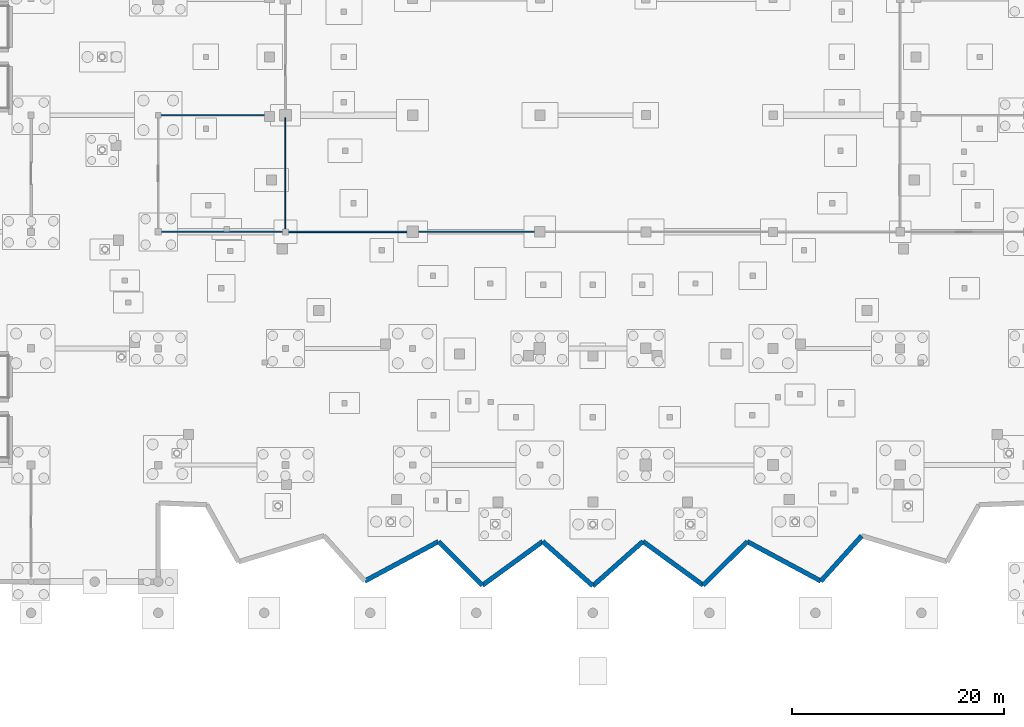
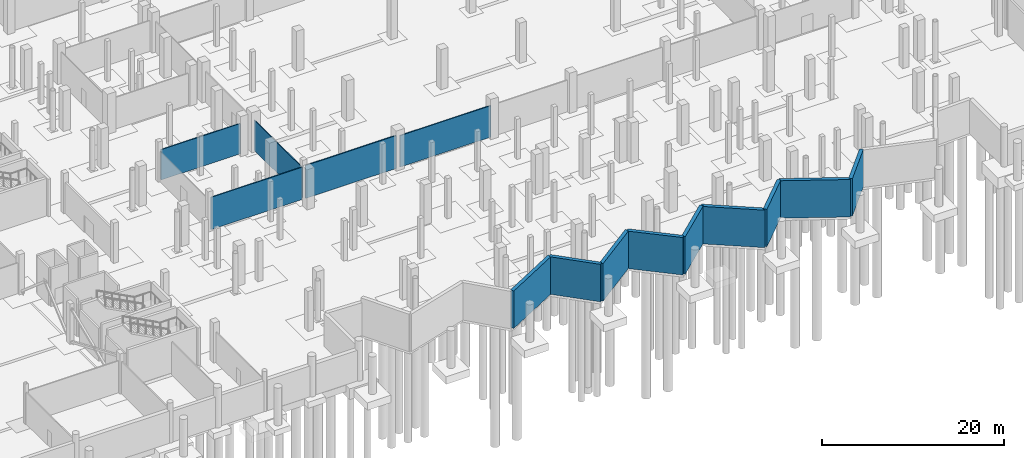
# One storey, part 31 of 60: 14 walls.
"""IFC4 building model written with IfcOpenShell, lengths in metres."""

import ifcopenshell
import ifcopenshell.guid

model = None  # the IFC model being written
_history = None  # IfcOwnerHistory: only IFC2X3 demands one
_inside = {}  # id of a spatial element -> (the spatial element, [elements in it])
_under = {}  # id of a project, library or spatial element -> (it, [spatial elements below it])
_declared = {}  # id of a project -> (the project, [libraries it declares])
_typed = {}  # id of a type object -> (the type object, [elements of that type])
_made_of = {}  # id of a material, layer set ... -> (it, [elements and type objects made of it])


def new_model(schema):
    """Start an empty IFC model of exactly this schema.

    Asked for "IFC4X3", IfcOpenShell would pick the latest addendum, in which some entities
    have other attributes; the version numbers below select the first issue.
    IFC2X3 requires an IfcOwnerHistory on every rooted entity: one is made here for all.
    """
    global model, _history
    if schema == "IFC4X3":
        model = ifcopenshell.file(schema_version=(4, 3, 0, 0))
    else:
        model = ifcopenshell.file(schema=schema)
    _inside.clear()
    _under.clear()
    _declared.clear()
    _typed.clear()
    _made_of.clear()
    _history = None
    if model.schema == "IFC2X3":
        org = make("IfcOrganization", Name="unknown")
        user = make(
            "IfcPersonAndOrganization",
            ThePerson=make("IfcPerson", FamilyName="unknown"),
            TheOrganization=org,
        )
        app = make(
            "IfcApplication",
            ApplicationDeveloper=org,
            Version="unknown",
            ApplicationFullName="unknown",
            ApplicationIdentifier="unknown",
        )
        _history = make(
            "IfcOwnerHistory",
            OwningUser=user,
            OwningApplication=app,
            ChangeAction="ADDED",
            CreationDate=0,
        )
    return model


def make(cls, **values):
    """One entity of the class cls with the attributes given. An attribute that is None is left unset."""
    return model.create_entity(
        cls, **{name: value for name, value in values.items() if value is not None}
    )


def rooted(cls, **values):
    """An entity with a GlobalId (a new one), such as an element, a storey or a relation."""
    return make(cls, GlobalId=ifcopenshell.guid.new(), OwnerHistory=_history, **values)


def si_unit(unit_type, name, prefix=None):
    """IfcSIUnit, for example si_unit("LENGTHUNIT", "METRE", prefix="MILLI")."""
    return make("IfcSIUnit", UnitType=unit_type, Prefix=prefix, Name=name)


def assignment(units):
    """IfcUnitAssignment: the units of a project."""
    return None if units is None else make("IfcUnitAssignment", Units=units)


def point(xyz):
    """IfcCartesianPoint."""
    return None if xyz is None else make("IfcCartesianPoint", Coordinates=xyz)


def direction(xyz):
    """IfcDirection."""
    return None if xyz is None else make("IfcDirection", DirectionRatios=xyz)


def frame(location, z_axis=None, x_axis=None):
    """IfcAxis2Placement3D, a coordinate frame: its origin and axes. An axis left out is left unset."""
    return make(
        "IfcAxis2Placement3D",
        Location=point(location),
        Axis=direction(z_axis),
        RefDirection=direction(x_axis),
    )


def frame_2d(location, x_axis=None):
    """IfcAxis2Placement2D, a coordinate frame in the plane: its origin and x axis."""
    return make(
        "IfcAxis2Placement2D", Location=point(location), RefDirection=direction(x_axis)
    )


def origin():
    """The frame at (0, 0, 0) with its axes left unset."""
    return frame((0.0, 0.0, 0.0))


def place(relative_to, where):
    """IfcLocalPlacement: puts the frame where relative to a parent placement (None: the world)."""
    return make(
        "IfcLocalPlacement", PlacementRelTo=relative_to, RelativePlacement=where
    )


def context(
    kind, dimensions, precision=None, world=None, true_north=None, identifier=None
):
    """IfcGeometricRepresentationContext, for example the 3D "Model" context."""
    return make(
        "IfcGeometricRepresentationContext",
        ContextIdentifier=identifier,
        ContextType=kind,
        CoordinateSpaceDimension=dimensions,
        Precision=precision,
        WorldCoordinateSystem=world,
        TrueNorth=true_north,
    )


def subcontext(parent, identifier, kind, view, scale=None):
    """IfcGeometricRepresentationSubContext, for example "Body" below "Model"."""
    return make(
        "IfcGeometricRepresentationSubContext",
        ContextIdentifier=identifier,
        ContextType=kind,
        ParentContext=parent,
        TargetScale=scale,
        TargetView=view,
    )


def project(units=None, contexts=None):
    """IfcProject with its units and contexts."""
    return rooted(
        "IfcProject",
        Name="project",
        RepresentationContexts=contexts,
        UnitsInContext=assignment(units),
    )


def spatial(cls, under=None, at=None, **own):
    """A site, building, storey or space (cls), placed at a placement, below another one or the project."""
    s = rooted(cls, ObjectPlacement=at, **own)
    if under is not None:
        _under.setdefault(under.id(), (under, []))[1].append(s)
    return s


def profile(cls, at=None, kind="AREA", **sizes):
    """A parametric profile (cls). Its sizes go by their IFC names, for example OverallWidth=200.0."""
    return make(cls, ProfileType=kind, Position=at, **sizes)


def rectangle(**sizes):
    """IfcRectangleProfileDef."""
    return profile("IfcRectangleProfileDef", **sizes)


def extrude(swept, where, along, depth):
    """IfcExtrudedAreaSolid: the profile swept, set in the frame where, extruded along a direction by depth."""
    return make(
        "IfcExtrudedAreaSolid",
        SweptArea=swept,
        Position=where,
        ExtrudedDirection=direction(along),
        Depth=depth,
    )


def shape(context_of_items, identifier, shape_type, items):
    """IfcShapeRepresentation: the items that make up one representation, for example the "Body"."""
    return make(
        "IfcShapeRepresentation",
        ContextOfItems=context_of_items,
        RepresentationIdentifier=identifier,
        RepresentationType=shape_type,
        Items=items,
    )


def material(Name=None, Category=None):
    """IfcMaterial."""
    return make("IfcMaterial", Name=Name, Category=Category)


def layer(
    of_material, thickness, ventilated=None, Name=None, Category=None, Priority=None
):
    """IfcMaterialLayer: one layer of a wall or slab, of a material (None: an air gap)."""
    return make(
        "IfcMaterialLayer",
        Material=of_material,
        LayerThickness=thickness,
        IsVentilated=ventilated,
        Name=Name,
        Category=Category,
        Priority=Priority,
    )


def layer_set(layers, Name=None):
    """IfcMaterialLayerSet."""
    return make("IfcMaterialLayerSet", MaterialLayers=layers, LayerSetName=Name)


def made_of(thing, what):
    """Note that an element or type object is made of a material, layer set ...; save() writes the relation."""
    if what is not None:
        _made_of.setdefault(what.id(), (what, []))[1].append(thing)
    return thing


def type_object(cls, material=None, **own):
    """A type object (cls), such as IfcWallType, which elements share."""
    return made_of(rooted(cls, **own), material)


def element(
    cls,
    number,
    at=None,
    inside=None,
    cuts=None,
    type_object=None,
    material=None,
    context=None,
    identifier="Body",
    shape_type=None,
    held_by="IfcProductDefinitionShape",
    body=None,
    shapes=None,
    **own,
):
    """One element of the class cls, such as IfcWall. Its Tag is "e" and its number.

    at: its placement. inside: the storey or other place that contains it. cuts: it is an
    opening in that element (IfcRelVoidsElement). A single representation is given by context,
    identifier, shape_type and body (its items); several are given by shapes. held_by: the class
    of the entity that holds the representations. save() writes the other relations.
    """
    e = rooted(cls, Tag="e%d" % number, ObjectPlacement=at, **own)
    if body is not None:
        shapes = [shape(context, identifier, shape_type, body)]
    if shapes is not None:
        e.Representation = make(held_by, Representations=shapes)
    if inside is not None:
        _inside.setdefault(inside.id(), (inside, []))[1].append(e)
    if cuts is not None:
        rooted(
            "IfcRelVoidsElement", RelatingBuildingElement=cuts, RelatedOpeningElement=e
        )
    if type_object is not None:
        _typed.setdefault(type_object.id(), (type_object, []))[1].append(e)
    return made_of(e, material)


def aggregate(whole, parts):
    """IfcRelAggregates: a whole, such as a stair, and the parts it consists of."""
    return rooted("IfcRelAggregates", RelatingObject=whole, RelatedObjects=parts)


def save(model, path):
    """Write the relations noted so far, then the file.

    IfcRelAggregates (storeys below a building ...), IfcRelContainedInSpatialStructure (elements
    in a storey), IfcRelDefinesByType, IfcRelAssociatesMaterial and IfcRelDeclares: one each for
    every whole, place, type object, material and project.
    """
    for whole, parts in _under.values():
        aggregate(whole, parts)
    for where, things in _inside.values():
        rooted(
            "IfcRelContainedInSpatialStructure",
            RelatedElements=things,
            RelatingStructure=where,
        )
    for kind, things in _typed.values():
        rooted("IfcRelDefinesByType", RelatedObjects=things, RelatingType=kind)
    for what, things in _made_of.values():
        rooted("IfcRelAssociatesMaterial", RelatedObjects=things, RelatingMaterial=what)
    for by, libraries in _declared.values():
        rooted("IfcRelDeclares", RelatingContext=by, RelatedDefinitions=libraries)
    model.write(path)


model = new_model("IFC4")

# Units and contexts
model_context = context("Model", 3, precision=1e-05, world=origin(), true_north=direction((0.0, 1.0)))
body_context = subcontext(model_context, "Body", "Model", "MODEL_VIEW")
ifc_project = project(units=[si_unit("LENGTHUNIT", "METRE"), si_unit("AREAUNIT", "SQUARE_METRE"), si_unit("VOLUMEUNIT", "CUBIC_METRE"), si_unit("PLANEANGLEUNIT", "RADIAN"), si_unit("MASSUNIT", "GRAM", prefix="KILO")], contexts=[model_context])

# Site, building, storey
site_placement = place(None, origin())
site = spatial("IfcSite", under=ifc_project, at=site_placement, CompositionType="ELEMENT")
building_placement = place(site_placement, origin())
building = spatial("IfcBuilding", under=site, at=building_placement, Name="Luwafu Chhajja Arena", CompositionType="ELEMENT")
storey_placement = place(building_placement, frame((0.0, 0.0, -5.39990234375)))
storey = spatial("IfcBuildingStorey", under=building, at=storey_placement, Name="B1", CompositionType="ELEMENT", Elevation=-5.39990234375)

# Walls
ifc_material_1 = material(Name="Lightweight blockwork partition", Category="masonry")
ifc_layer_1 = layer(ifc_material_1, 0.139892578125, Name="Lightweight blockwork partition")
ifc_layer_set_1 = layer_set([ifc_layer_1], Name="Lightweight blockwork partition")
wall_type_1 = type_object("IfcWallType", Name="Concourse Kiosk Partition 140", PredefinedType="PARTITIONING", material=ifc_layer_set_1)
wall_1_placement = place(storey_placement, frame((70.219970703125, 33.0, 0.0), z_axis=(0.0, 0.0, 1.0), x_axis=(1.0, 0.0, 0.0)))
element("IfcWall", 1, at=wall_1_placement, inside=storey, type_object=wall_type_1, Name="B1 Internal Partition 0002", PredefinedType="PARTITIONING", context=body_context, shape_type="SweptSolid", body=[
    extrude(rectangle(XDim=11.56005859375, YDim=0.139892578125, at=frame_2d((5.780029296875, 0.0))), origin(), (0.0, 0.0, 1.0), 4.417724609375),
])
ifc_material_2 = material(Name="Gypsum plasterboard partition")
ifc_layer_2 = layer(ifc_material_2, 0.10009765625, Name="Gypsum plasterboard partition")
ifc_layer_set_2 = layer_set([ifc_layer_2], Name="Gypsum plasterboard partition")
wall_type_2 = type_object("IfcWallType", Name="Drywall Lining Partition 100", PredefinedType="PARTITIONING", material=ifc_layer_set_2)
wall_2_placement = place(storey_placement, frame((70.0, 33.219970703125, 0.0), z_axis=(0.0, 0.0, 1.0), x_axis=(0.0, 1.0, 0.0)))
element("IfcWall", 2, at=wall_2_placement, inside=storey, type_object=wall_type_2, Name="B1 Internal Partition 0098", PredefinedType="PARTITIONING", context=body_context, shape_type="SweptSolid", body=[
    extrude(rectangle(XDim=10.56005859375, YDim=0.10009765625, at=frame_2d((5.280029296875, 0.0))), origin(), (0.0, 0.0, 1.0), 4.079833984375),
])
ifc_material_3 = material(Name="Acoustic metal-stud gypsum board")
ifc_layer_3 = layer(ifc_material_3, 0.1201171875, Name="Acoustic metal-stud gypsum board")
ifc_layer_set_3 = layer_set([ifc_layer_3], Name="Acoustic metal-stud gypsum board")
wall_type_3 = type_object("IfcWallType", Name="Internal Room Partition 120", PredefinedType="PARTITIONING", material=ifc_layer_set_3)
wall_3_placement = place(storey_placement, frame((82.219970703125, 33.0, 0.0), z_axis=(0.0, 0.0, 1.0), x_axis=(1.0, 0.0, 0.0)))
element("IfcWall", 3, at=wall_3_placement, inside=storey, type_object=wall_type_3, Name="B1 Internal Partition 0004", PredefinedType="PARTITIONING", context=body_context, shape_type="SweptSolid", body=[
    extrude(rectangle(XDim=11.56005859375, YDim=0.1201171875, at=frame_2d((5.780029296875, 0.0))), origin(), (0.0, 0.0, 1.0), 4.22998046875),
])
wall_4_placement = place(storey_placement, frame((58.219970703125, 33.0, 0.0), z_axis=(0.0, 0.0, 1.0), x_axis=(1.0, 0.0, 0.0)))
element("IfcWall", 4, at=wall_4_placement, inside=storey, type_object=wall_type_3, Name="B1 Internal Partition 0040", PredefinedType="PARTITIONING", context=body_context, shape_type="SweptSolid", body=[
    extrude(rectangle(XDim=11.56005859375, YDim=0.1201171875, at=frame_2d((5.780029296875, 0.0))), origin(), (0.0, 0.0, 1.0), 4.346435546875),
])
wall_5_placement = place(storey_placement, frame((58.219970703125, 44.0, 0.0), z_axis=(0.0, 0.0, 1.0), x_axis=(1.0, 0.0, 0.0)))
element("IfcWall", 5, at=wall_5_placement, inside=storey, type_object=wall_type_3, Name="B1 Internal Partition 0041", PredefinedType="PARTITIONING", context=body_context, shape_type="SweptSolid", body=[
    extrude(rectangle(XDim=10.068115234375, YDim=0.1201171875, at=frame_2d((5.0341796875, 0.0))), origin(), (0.0, 0.0, 1.0), 4.079833984375),
])
ifc_material_4 = material(Name="Concrete C40/50", Category="concrete")
ifc_layer_4 = layer(ifc_material_4, 0.43994140625, Name="Concrete C40/50")
ifc_layer_set_4 = layer_set([ifc_layer_4], Name="Concrete C40/50")
wall_type_4 = type_object("IfcWallType", Name="RC Basement Retaining Wall 440", PredefinedType="SOLIDWALL", material=ifc_layer_set_4)
wall_6_placement = place(storey_placement, frame((77.489013671875, 0.051025390625, 0.0), z_axis=(0.0, 0.0, 1.0), x_axis=(0.881201188687, 0.472741435731, 0.0)))
element("IfcWall", 6, at=wall_6_placement, inside=storey, type_object=wall_type_4, Name="B1 Pleated Bowl V-Fold Wall 45", PredefinedType="SOLIDWALL", context=body_context, shape_type="SweptSolid", body=[
    extrude(rectangle(XDim=7.880859375, YDim=0.43994140625, at=frame_2d((3.9404296875, 0.0))), origin(), (0.0, 0.0, 1.0), 5.034912109375),
])
wall_7_placement = place(storey_placement, frame((84.43359375, 3.776611328125, 0.0), z_axis=(0.0, 0.0, 1.0), x_axis=(0.710084208502, -0.704116763638, 0.0)))
element("IfcWall", 7, at=wall_7_placement, inside=storey, type_object=wall_type_4, Name="B1 Pleated Bowl V-Fold Wall 46", PredefinedType="SOLIDWALL", context=body_context, shape_type="SweptSolid", body=[
    extrude(rectangle(XDim=5.850341796875, YDim=0.43994140625, at=frame_2d((2.92529296875, 0.0))), origin(), (0.0, 0.0, 1.0), 5.034912109375),
])
wall_8_placement = place(storey_placement, frame((88.587890625, -0.3427734375, 0.0), z_axis=(0.0, 0.0, 1.0), x_axis=(0.808841233488, 0.588027090371, 0.0)))
element("IfcWall", 8, at=wall_8_placement, inside=storey, type_object=wall_type_4, Name="B1 Pleated Bowl V-Fold Wall 47", PredefinedType="SOLIDWALL", context=body_context, shape_type="SweptSolid", body=[
    extrude(rectangle(XDim=7.02734375, YDim=0.43994140625, at=frame_2d((3.513671875, 0.0))), origin(), (0.0, 0.0, 1.0), 5.034912109375),
])
for number, where, z_axis, x_axis, name in (
    (9, (94.27197265625, 3.78955078125, 0.0), (0.0, 0.0, 1.0), (0.74844895461, -0.663192402205, 0.0), "B1 Pleated Bowl V-Fold Wall 48"),
    (10, (99.0, -0.39990234375, 0.0), (0.0, 0.0, 1.0), (0.74844895461, 0.663192402205, 0.0), "B1 Pleated Bowl V-Fold Wall 49"),
):
    element("IfcWall", number, at=place(storey_placement, frame(where, z_axis=z_axis, x_axis=x_axis)), inside=storey, type_object=wall_type_4, Name=name, PredefinedType="SOLIDWALL", context=body_context, shape_type="SweptSolid", body=[
        extrude(rectangle(XDim=6.317138671875, YDim=0.43994140625, at=frame_2d((3.15869140625, 0.0))), origin(), (0.0, 0.0, 1.0), 5.034912109375),
    ])
wall_9_placement = place(storey_placement, frame((103.72802734375, 3.78955078125, 0.0), z_axis=(0.0, 0.0, 1.0), x_axis=(0.808841233488, -0.588027090371, 0.0)))
element("IfcWall", 11, at=wall_9_placement, inside=storey, type_object=wall_type_4, Name="B1 Pleated Bowl V-Fold Wall 50", PredefinedType="SOLIDWALL", context=body_context, shape_type="SweptSolid", body=[
    extrude(rectangle(XDim=7.02734375, YDim=0.43994140625, at=frame_2d((3.513671875, 0.0))), origin(), (0.0, 0.0, 1.0), 5.034912109375),
])
wall_10_placement = place(storey_placement, frame((109.412109375, -0.3427734375, 0.0), z_axis=(0.0, 0.0, 1.0), x_axis=(0.710084208502, 0.704116763638, 0.0)))
element("IfcWall", 12, at=wall_10_placement, inside=storey, type_object=wall_type_4, Name="B1 Pleated Bowl V-Fold Wall 51", PredefinedType="SOLIDWALL", context=body_context, shape_type="SweptSolid", body=[
    extrude(rectangle(XDim=5.850341796875, YDim=0.43994140625, at=frame_2d((2.92529296875, 0.0))), origin(), (0.0, 0.0, 1.0), 5.034912109375),
])
wall_11_placement = place(storey_placement, frame((113.56640625, 3.776611328125, 0.0), z_axis=(0.0, 0.0, 1.0), x_axis=(0.881201188687, -0.472741435731, 0.0)))
element("IfcWall", 13, at=wall_11_placement, inside=storey, type_object=wall_type_4, Name="B1 Pleated Bowl V-Fold Wall 52", PredefinedType="SOLIDWALL", context=body_context, shape_type="SweptSolid", body=[
    extrude(rectangle(XDim=7.880859375, YDim=0.43994140625, at=frame_2d((3.9404296875, 0.0))), origin(), (0.0, 0.0, 1.0), 5.034912109375),
])
wall_12_placement = place(storey_placement, frame((120.510986328125, 0.051025390625, 0.0), z_axis=(0.0, 0.0, 1.0), x_axis=(0.670348131104, 0.742046752654, 0.0)))
element("IfcWall", 14, at=wall_12_placement, inside=storey, type_object=wall_type_4, Name="B1 Pleated Bowl V-Fold Wall 53", PredefinedType="SOLIDWALL", context=body_context, shape_type="SweptSolid", body=[
    extrude(rectangle(XDim=5.747802734375, YDim=0.43994140625, at=frame_2d((2.8740234375, 0.0))), origin(), (0.0, 0.0, 1.0), 5.034912109375),
])

save(model, "model.ifc")
